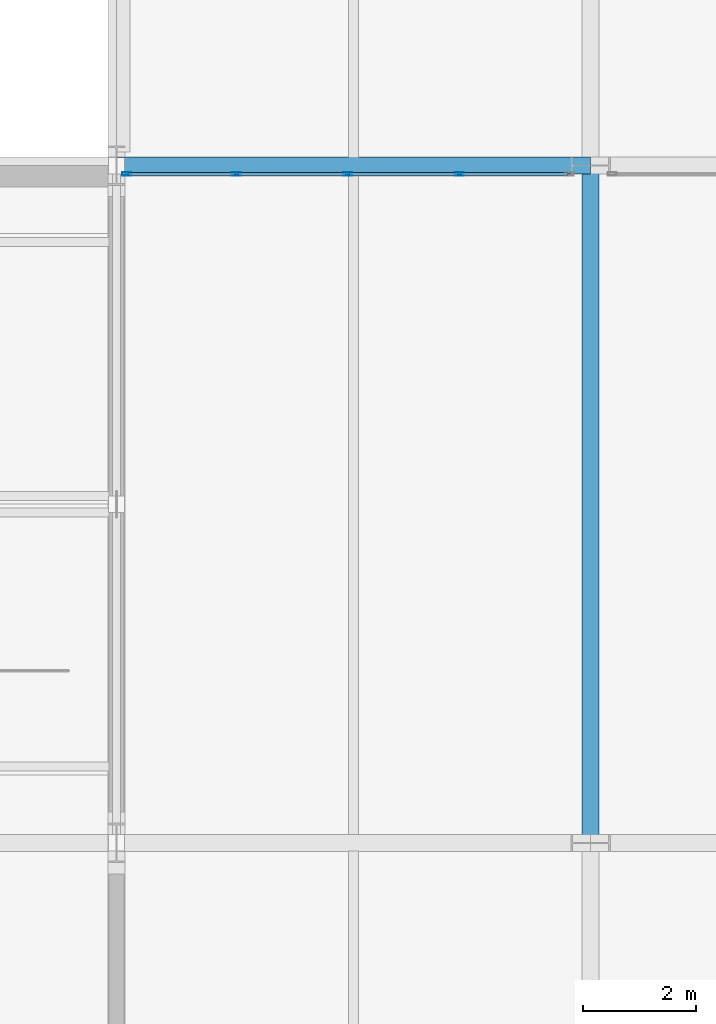
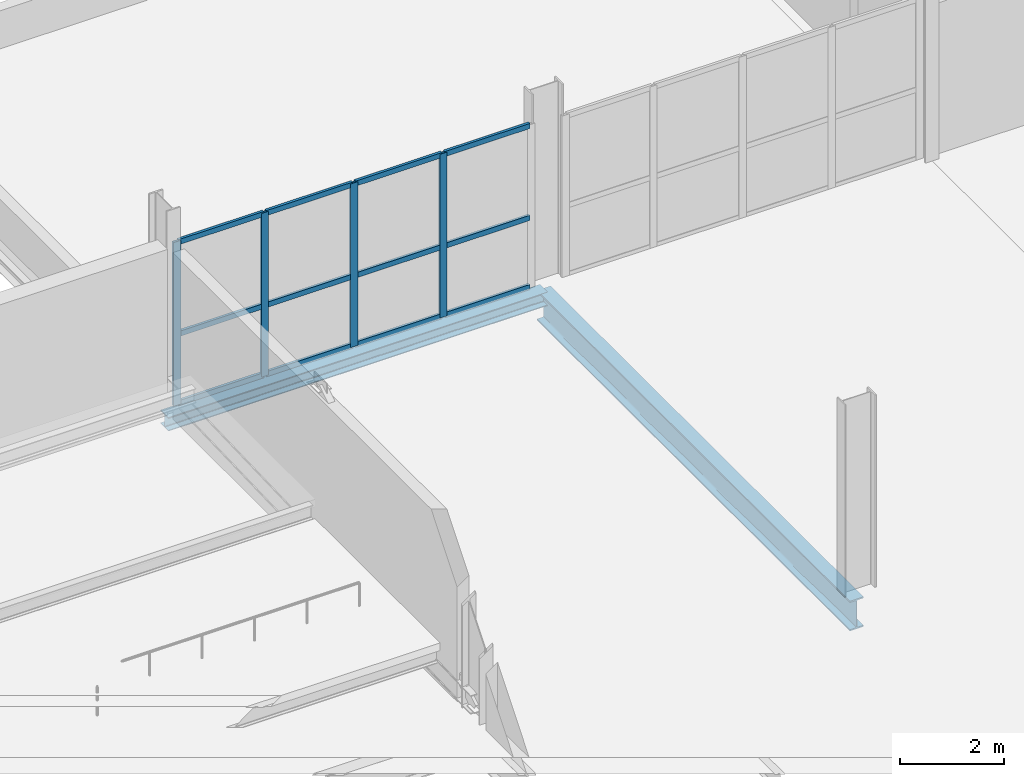
# One storey, part 21 of 113: 16 members, 2 beams, 1 element without a shape of its own.
"""IFC4 building model written with IfcOpenShell, lengths in metres."""

from ifc_helpers import new_model, si_unit, direction, frame, origin, origin_2d, place, context, subcontext, project, spatial, hollow_rectangle, i_section, extrude, material, material_profile, profile_set, type_object, element, aggregate, save


model = new_model("IFC4")

# Units and contexts
model_context = context("Model", 3, precision=1e-05, world=origin(), true_north=direction((0.0, 1.0)))
body_context = subcontext(model_context, "Body", "Model", "MODEL_VIEW")
ifc_project = project(units=[si_unit("LENGTHUNIT", "METRE"), si_unit("AREAUNIT", "SQUARE_METRE"), si_unit("VOLUMEUNIT", "CUBIC_METRE"), si_unit("PLANEANGLEUNIT", "RADIAN"), si_unit("MASSUNIT", "GRAM", prefix="KILO")], contexts=[model_context])

# Site, building, storey
site_placement = place(None, origin())
site = spatial("IfcSite", under=ifc_project, at=site_placement, CompositionType="ELEMENT")
building_placement = place(site_placement, origin())
building = spatial("IfcBuilding", under=site, at=building_placement, Name="Veltarok Museum of Natural Sciences", CompositionType="ELEMENT")
storey_placement = place(building_placement, frame((0.0, 0.0, 8.39990234375)))
storey = spatial("IfcBuildingStorey", under=building, at=storey_placement, Name="L01", CompositionType="ELEMENT", Elevation=8.39990234375)

# Curtain wall, members
ifc_material_1 = material(Name="Low-iron triple insulated glass", Category="glass")
curtain_wall_type = type_object("IfcCurtainWallType", Name="Curtain Wall System CW-PASN1-L01-1-790x383 (CW-PASN1 L01 790x383cm)", PredefinedType="NOTDEFINED", material=ifc_material_1)
curtain_wall_placement = place(storey_placement, origin())
curtain_wall = element("IfcCurtainWall", 1, at=curtain_wall_placement, inside=storey, type_object=curtain_wall_type, Name="Curtain Wall CW-PASN1-L01-1-790x383 CW-0209", PredefinedType="NOTDEFINED")
ifc_material_2 = material(Name="Thermally broken anodised aluminium", Category="aluminium")
ifc_material_profile_1 = material_profile(ifc_material_2, hollow_rectangle(XDim=0.06005859375, YDim=0.1201171875, WallThickness=0.0048828125, at=origin_2d()), Name="CW TRANSOM 60x120x5")
ifc_profile_set_1 = profile_set([ifc_material_profile_1], Name="Thermally broken anodised aluminium")
member_type_1 = type_object("IfcMemberType", Name="Curtain Wall Horizontal Transom 60x120x5", PredefinedType="USERDEFINED", material=ifc_profile_set_1)
member_1_placement = place(storey_placement, frame((31.18994140625, 59.85009765625, 0.028076171875), z_axis=(-1.0, 0.0, 0.0), x_axis=(0.0, -1.0, 0.0)))
member_1 = element("IfcMember", 2, at=member_1_placement, type_object=member_type_1, Name="CW-PASN1-L01-1-790x383 transom 1.1", ObjectType="TRANSOM", PredefinedType="USERDEFINED", context=body_context, shape_type="SweptSolid", body=[
    extrude(hollow_rectangle(XDim=0.06005859375, YDim=0.1201171875, WallThickness=0.0048828125, at=origin_2d()), origin(), (0.0, 0.0, 1.0), 1.885009765625),
])
member_2_placement = place(storey_placement, frame((31.18994140625, 59.85009765625, 1.648193359375), z_axis=(-1.0, 0.0, 0.0), x_axis=(0.0, -1.0, 0.0)))
member_2 = element("IfcMember", 3, at=member_2_placement, type_object=member_type_1, Name="CW-PASN1-L01-1-790x383 transom 1.2", ObjectType="TRANSOM", PredefinedType="USERDEFINED", context=body_context, shape_type="SweptSolid", body=[
    extrude(hollow_rectangle(XDim=0.06005859375, YDim=0.1201171875, WallThickness=0.0048828125, at=origin_2d()), origin(), (0.0, 0.0, 1.0), 1.885009765625),
])
member_3_placement = place(storey_placement, frame((31.18994140625, 59.85009765625, 3.800048828125), z_axis=(-1.0, 0.0, 0.0), x_axis=(0.0, -1.0, 0.0)))
member_3 = element("IfcMember", 4, at=member_3_placement, type_object=member_type_1, Name="CW-PASN1-L01-1-790x383 transom 1.3", ObjectType="TRANSOM", PredefinedType="USERDEFINED", context=body_context, shape_type="SweptSolid", body=[
    extrude(hollow_rectangle(XDim=0.06005859375, YDim=0.1201171875, WallThickness=0.0048828125, at=origin_2d()), origin(), (0.0, 0.0, 1.0), 1.885009765625),
])
member_4_placement = place(storey_placement, frame((29.2451171875, 59.85009765625, 0.028076171875), z_axis=(-1.0, 0.0, 0.0), x_axis=(0.0, -1.0, 0.0)))
member_4 = element("IfcMember", 5, at=member_4_placement, type_object=member_type_1, Name="CW-PASN1-L01-1-790x383 transom 2.1", ObjectType="TRANSOM", PredefinedType="USERDEFINED", context=body_context, shape_type="SweptSolid", body=[
    extrude(hollow_rectangle(XDim=0.06005859375, YDim=0.1201171875, WallThickness=0.0048828125, at=origin_2d()), origin(), (0.0, 0.0, 1.0), 1.9150390625),
])
member_5_placement = place(storey_placement, frame((29.2451171875, 59.85009765625, 1.648193359375), z_axis=(-1.0, 0.0, 0.0), x_axis=(0.0, -1.0, 0.0)))
member_5 = element("IfcMember", 6, at=member_5_placement, type_object=member_type_1, Name="CW-PASN1-L01-1-790x383 transom 2.2", ObjectType="TRANSOM", PredefinedType="USERDEFINED", context=body_context, shape_type="SweptSolid", body=[
    extrude(hollow_rectangle(XDim=0.06005859375, YDim=0.1201171875, WallThickness=0.0048828125, at=origin_2d()), origin(), (0.0, 0.0, 1.0), 1.9150390625),
])
member_6_placement = place(storey_placement, frame((29.2451171875, 59.85009765625, 3.800048828125), z_axis=(-1.0, 0.0, 0.0), x_axis=(0.0, -1.0, 0.0)))
member_6 = element("IfcMember", 7, at=member_6_placement, type_object=member_type_1, Name="CW-PASN1-L01-1-790x383 transom 2.3", ObjectType="TRANSOM", PredefinedType="USERDEFINED", context=body_context, shape_type="SweptSolid", body=[
    extrude(hollow_rectangle(XDim=0.06005859375, YDim=0.1201171875, WallThickness=0.0048828125, at=origin_2d()), origin(), (0.0, 0.0, 1.0), 1.9150390625),
])
member_7_placement = place(storey_placement, frame((27.27001953125, 59.85009765625, 0.028076171875), z_axis=(-1.0, 0.0, 0.0), x_axis=(0.0, -1.0, 0.0)))
member_7 = element("IfcMember", 8, at=member_7_placement, type_object=member_type_1, Name="CW-PASN1-L01-1-790x383 transom 3.1", ObjectType="TRANSOM", PredefinedType="USERDEFINED", context=body_context, shape_type="SweptSolid", body=[
    extrude(hollow_rectangle(XDim=0.06005859375, YDim=0.1201171875, WallThickness=0.0048828125, at=origin_2d()), origin(), (0.0, 0.0, 1.0), 1.9150390625),
])
member_8_placement = place(storey_placement, frame((27.27001953125, 59.85009765625, 1.648193359375), z_axis=(-1.0, 0.0, 0.0), x_axis=(0.0, -1.0, 0.0)))
member_8 = element("IfcMember", 9, at=member_8_placement, type_object=member_type_1, Name="CW-PASN1-L01-1-790x383 transom 3.2", ObjectType="TRANSOM", PredefinedType="USERDEFINED", context=body_context, shape_type="SweptSolid", body=[
    extrude(hollow_rectangle(XDim=0.06005859375, YDim=0.1201171875, WallThickness=0.0048828125, at=origin_2d()), origin(), (0.0, 0.0, 1.0), 1.9150390625),
])
member_9_placement = place(storey_placement, frame((27.27001953125, 59.85009765625, 3.800048828125), z_axis=(-1.0, 0.0, 0.0), x_axis=(0.0, -1.0, 0.0)))
member_9 = element("IfcMember", 10, at=member_9_placement, type_object=member_type_1, Name="CW-PASN1-L01-1-790x383 transom 3.3", ObjectType="TRANSOM", PredefinedType="USERDEFINED", context=body_context, shape_type="SweptSolid", body=[
    extrude(hollow_rectangle(XDim=0.06005859375, YDim=0.1201171875, WallThickness=0.0048828125, at=origin_2d()), origin(), (0.0, 0.0, 1.0), 1.9150390625),
])
member_10_placement = place(storey_placement, frame((25.294921875, 59.85009765625, 0.028076171875), z_axis=(-1.0, 0.0, 0.0), x_axis=(0.0, -1.0, 0.0)))
member_10 = element("IfcMember", 11, at=member_10_placement, type_object=member_type_1, Name="CW-PASN1-L01-1-790x383 transom 4.1", ObjectType="TRANSOM", PredefinedType="USERDEFINED", context=body_context, shape_type="SweptSolid", body=[
    extrude(hollow_rectangle(XDim=0.06005859375, YDim=0.1201171875, WallThickness=0.0048828125, at=origin_2d()), origin(), (0.0, 0.0, 1.0), 1.885009765625),
])
member_11_placement = place(storey_placement, frame((25.294921875, 59.85009765625, 1.648193359375), z_axis=(-1.0, 0.0, 0.0), x_axis=(0.0, -1.0, 0.0)))
member_11 = element("IfcMember", 12, at=member_11_placement, type_object=member_type_1, Name="CW-PASN1-L01-1-790x383 transom 4.2", ObjectType="TRANSOM", PredefinedType="USERDEFINED", context=body_context, shape_type="SweptSolid", body=[
    extrude(hollow_rectangle(XDim=0.06005859375, YDim=0.1201171875, WallThickness=0.0048828125, at=origin_2d()), origin(), (0.0, 0.0, 1.0), 1.885009765625),
])
member_12_placement = place(storey_placement, frame((25.294921875, 59.85009765625, 3.800048828125), z_axis=(-1.0, 0.0, 0.0), x_axis=(0.0, -1.0, 0.0)))
member_12 = element("IfcMember", 13, at=member_12_placement, type_object=member_type_1, Name="CW-PASN1-L01-1-790x383 transom 4.3", ObjectType="TRANSOM", PredefinedType="USERDEFINED", context=body_context, shape_type="SweptSolid", body=[
    extrude(hollow_rectangle(XDim=0.06005859375, YDim=0.1201171875, WallThickness=0.0048828125, at=origin_2d()), origin(), (0.0, 0.0, 1.0), 1.885009765625),
])
ifc_material_profile_2 = material_profile(ifc_material_2, hollow_rectangle(XDim=0.06005859375, YDim=0.159912109375, WallThickness=0.0048828125, at=origin_2d()), Name="CW MULLION 60x160x5")
ifc_profile_set_2 = profile_set([ifc_material_profile_2], Name="Thermally broken anodised aluminium")
member_type_2 = type_object("IfcMemberType", Name="Curtain Wall Vertical Mullion 60x160x5", PredefinedType="MULLION", material=ifc_profile_set_2)
member_13_placement = place(storey_placement, frame((29.27490234375, 59.85009765625, -0.001953125), z_axis=(0.0, 0.0, 1.0), x_axis=(0.0, -1.0, 0.0)))
member_13 = element("IfcMember", 14, at=member_13_placement, type_object=member_type_2, Name="CW-PASN1-L01-1-790x383 mullion 2", PredefinedType="MULLION", context=body_context, shape_type="SweptSolid", body=[
    extrude(hollow_rectangle(XDim=0.06005859375, YDim=0.159912109375, WallThickness=0.0048828125, at=origin_2d()), origin(), (0.0, 0.0, 1.0), 3.83203125),
])
member_14_placement = place(storey_placement, frame((27.300048828125, 59.85009765625, -0.001953125), z_axis=(0.0, 0.0, 1.0), x_axis=(0.0, -1.0, 0.0)))
member_14 = element("IfcMember", 15, at=member_14_placement, type_object=member_type_2, Name="CW-PASN1-L01-1-790x383 mullion 3", PredefinedType="MULLION", context=body_context, shape_type="SweptSolid", body=[
    extrude(hollow_rectangle(XDim=0.06005859375, YDim=0.159912109375, WallThickness=0.0048828125, at=origin_2d()), origin(), (0.0, 0.0, 1.0), 3.83203125),
])
member_15_placement = place(storey_placement, frame((25.324951171875, 59.85009765625, -0.001953125), z_axis=(0.0, 0.0, 1.0), x_axis=(0.0, -1.0, 0.0)))
member_15 = element("IfcMember", 16, at=member_15_placement, type_object=member_type_2, Name="CW-PASN1-L01-1-790x383 mullion 4", PredefinedType="MULLION", context=body_context, shape_type="SweptSolid", body=[
    extrude(hollow_rectangle(XDim=0.06005859375, YDim=0.159912109375, WallThickness=0.0048828125, at=origin_2d()), origin(), (0.0, 0.0, 1.0), 3.83203125),
])
member_16_placement = place(storey_placement, frame((23.3798828125, 59.85009765625, -0.001953125), z_axis=(0.0, 0.0, 1.0), x_axis=(0.0, -1.0, 0.0)))
member_16 = element("IfcMember", 17, at=member_16_placement, type_object=member_type_2, Name="CW-PASN1-L01-1-790x383 mullion 5", PredefinedType="MULLION", context=body_context, shape_type="SweptSolid", body=[
    extrude(hollow_rectangle(XDim=0.06005859375, YDim=0.159912109375, WallThickness=0.0048828125, at=origin_2d()), origin(), (0.0, 0.0, 1.0), 3.83203125),
])
aggregate(curtain_wall, [member_13, member_14, member_15, member_16, member_1, member_2, member_3, member_4, member_5, member_6, member_7, member_8, member_9, member_10, member_11, member_12])

# Beams
ifc_material_3 = material(Name="Steel S355J2", Category="steel")
ifc_material_profile_3 = material_profile(ifc_material_3, i_section(OverallWidth=0.300048828125, OverallDepth=0.699951171875, WebThickness=0.01708984375, FlangeThickness=0.031982421875, FilletRadius=0.027099609375, at=origin_2d()), Name="HEB 700")
ifc_profile_set_3 = profile_set([ifc_material_profile_3], Name="Steel S355J2")
beam_type_1 = type_object("IfcBeamType", Name="Long-Span Hall Girder HEB 700", PredefinedType="BEAM", material=ifc_profile_set_3)
beam_1_placement = place(storey_placement, frame((31.60009765625, 48.0, -0.599853515625), z_axis=(0.0, 1.0, 0.0), x_axis=(-1.0, 0.0, 0.0)))
element("IfcBeam", 18, at=beam_1_placement, inside=storey, type_object=beam_type_1, Name="Beam BM-G01 L01 4/F-G", PredefinedType="BEAM", context=body_context, shape_type="SweptSolid", body=[
    extrude(i_section(OverallWidth=0.300048828125, OverallDepth=0.699951171875, WebThickness=0.01708984375, FlangeThickness=0.031982421875, FilletRadius=0.027099609375, at=origin_2d()), origin(), (0.0, 0.0, 1.0), 12.0),
])
ifc_material_profile_4 = material_profile(ifc_material_3, i_section(OverallWidth=0.300048828125, OverallDepth=0.320068359375, WebThickness=0.011474609375, FlangeThickness=0.0205078125, FilletRadius=0.027099609375, at=origin_2d()), Name="HEB 320")
ifc_profile_set_4 = profile_set([ifc_material_profile_4], Name="Steel S355J2")
beam_type_2 = type_object("IfcBeamType", Name="Perimeter Sawtooth Spandrel HEB 320", PredefinedType="SPANDREL", material=ifc_profile_set_4)
beam_2_placement = place(storey_placement, frame((23.199951171875, 60.0, -0.409912109375), z_axis=(1.0, 0.0, 0.0), x_axis=(0.0, 1.0, 0.0)))
element("IfcBeam", 19, at=beam_2_placement, inside=storey, type_object=beam_type_2, Name="Beam BM-SP06 L01 3-4/G", PredefinedType="SPANDREL", context=body_context, shape_type="SweptSolid", body=[
    extrude(i_section(OverallWidth=0.300048828125, OverallDepth=0.320068359375, WebThickness=0.011474609375, FlangeThickness=0.0205078125, FilletRadius=0.027099609375, at=origin_2d()), origin(), (0.0, 0.0, 1.0), 8.400146484375),
])

save(model, "model.ifc")
